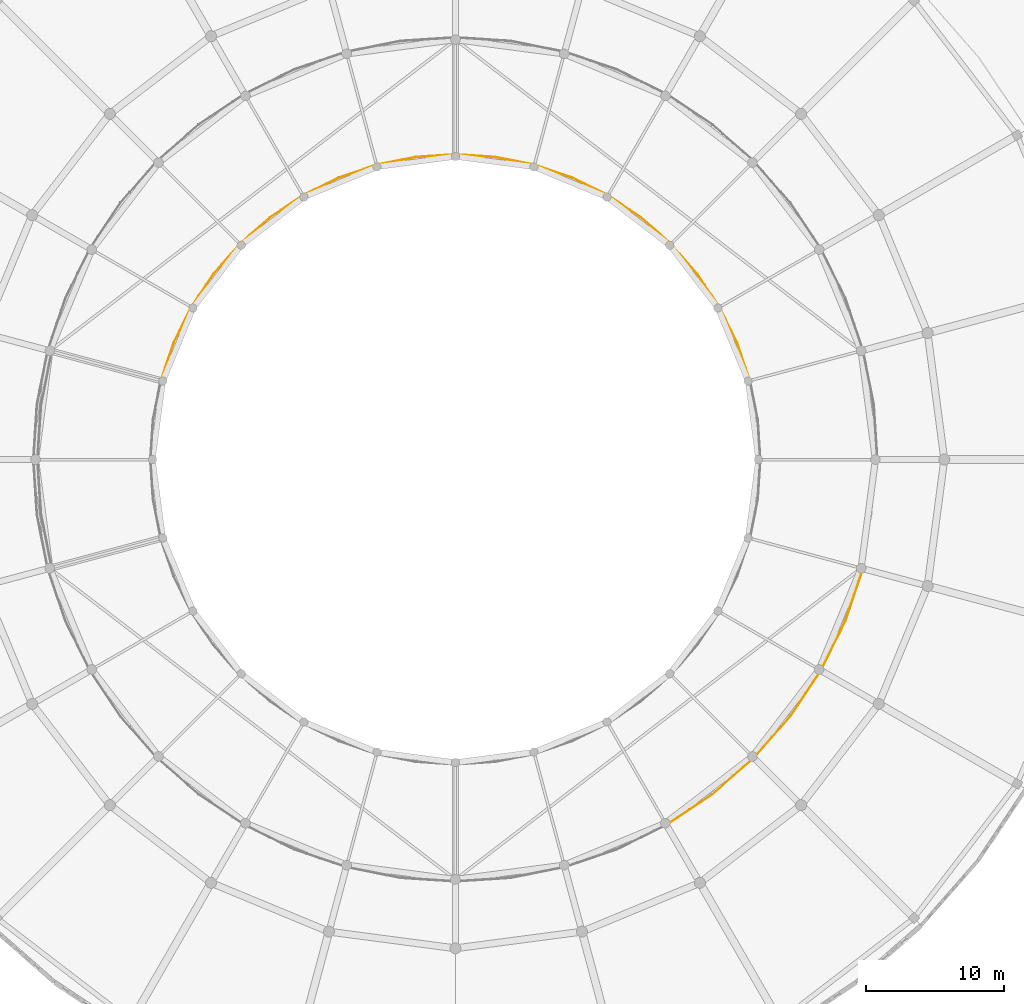
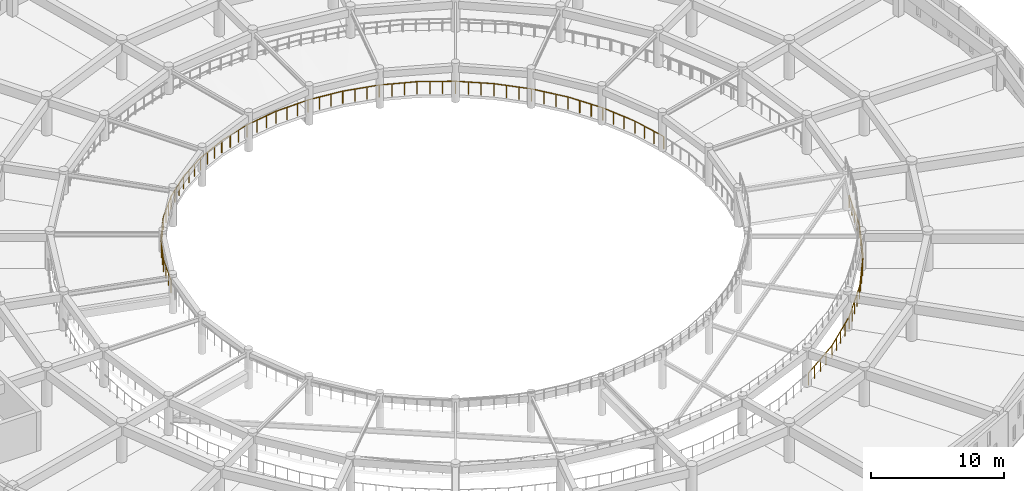
# One storey, part 130 of 155: 2 railings.
"""IFC4 building model written with IfcOpenShell, lengths in metres."""

from ifc_helpers import new_model, si_unit, direction, frame, origin, origin_2d, place, context, subcontext, project, spatial, circle, extrude, material, type_object, element, save


model = new_model("IFC4")

# Units and contexts
model_context = context("Model", 3, precision=1e-05, world=origin(), true_north=direction((0.0, 1.0)))
body_context = subcontext(model_context, "Body", "Model", "MODEL_VIEW")
ifc_project = project(units=[si_unit("LENGTHUNIT", "METRE"), si_unit("AREAUNIT", "SQUARE_METRE"), si_unit("VOLUMEUNIT", "CUBIC_METRE"), si_unit("PLANEANGLEUNIT", "RADIAN"), si_unit("MASSUNIT", "GRAM", prefix="KILO")], contexts=[model_context])

# Site, building, storey
site_placement = place(None, origin())
site = spatial("IfcSite", under=ifc_project, at=site_placement, CompositionType="ELEMENT")
building_placement = place(site_placement, origin())
building = spatial("IfcBuilding", under=site, at=building_placement, Name="Larkveld Mobility Hub", CompositionType="ELEMENT")
storey_placement = place(building_placement, frame((0.0, 0.0, 8.39990234375)))
storey = spatial("IfcBuildingStorey", under=building, at=storey_placement, Name="L02", CompositionType="ELEMENT", Elevation=8.39990234375)

# Railings
ifc_material_1 = material(Name="Anodized aluminium 6063-T6 balustrade", Category="aluminium")
railing_type_1 = type_object("IfcRailingType", Name="RL-GRD-1150", PredefinedType="GUARDRAIL", material=ifc_material_1)
railing_1_placement = place(storey_placement, frame((63.324951171875, 21.4560546875, 0.0)))
element("IfcRailing", 1, at=railing_1_placement, inside=storey, type_object=railing_type_1, Name="Drum Ramp Well Guardrail L02-046", PredefinedType="GUARDRAIL", context=body_context, shape_type="SweptSolid", body=[
    extrude(circle(Radius=0.02392578125, at=origin_2d()), frame((0.0, 0.0, 1.1259765625), z_axis=(0.831431571078, 0.555627161516, 0.0), x_axis=(-0.555627161516, 0.831431571078, 0.0)), (0.0, 0.0, 1.0), 4.010009765625),
    extrude(circle(Radius=0.02392578125, at=origin_2d()), frame((3.333984375, 2.22802734375, 1.1259765625), z_axis=(0.75190475676, 0.65927174728, 0.0), x_axis=(-0.65927174728, 0.75190475676, 0.0)), (0.0, 0.0, 1.0), 4.0087890625),
    extrude(circle(Radius=0.02392578125, at=origin_2d()), frame((6.34814453125, 4.870849609375, 1.1259765625), z_axis=(0.65927174728, 0.75190475676, 0.0), x_axis=(-0.75190475676, 0.65927174728, 0.0)), (0.0, 0.0, 1.0), 4.0087890625),
    extrude(circle(Radius=0.02392578125, at=origin_2d()), frame((8.990966796875, 7.885009765625, 1.1259765625), z_axis=(0.555627161516, 0.831431571078, 0.0), x_axis=(-0.831431571078, 0.555627161516, 0.0)), (0.0, 0.0, 1.0), 4.010009765625),
    extrude(circle(Radius=0.02392578125, at=origin_2d()), frame((11.218994140625, 11.218994140625, 1.1259765625), z_axis=(0.442213306217, 0.89690991287, 0.0), x_axis=(-0.89690991287, 0.442213306217, 0.0)), (0.0, 0.0, 1.0), 4.00927734375),
    extrude(circle(Radius=0.02392578125, at=origin_2d()), frame((12.991943359375, 14.81494140625, 1.1259765625), z_axis=(0.321557700371, 0.946889985865, 0.0), x_axis=(-0.946889985865, 0.321557700371, 0.0)), (0.0, 0.0, 1.0), 4.0087890625),
    extrude(circle(Radius=0.02099609375, at=origin_2d()), origin(), (0.0, 0.0, 1.0), 1.101806640625),
    extrude(circle(Radius=0.02099609375, at=origin_2d()), frame((0.83349609375, 0.55712890625, 0.0)), (0.0, 0.0, 1.0), 1.101806640625),
    extrude(circle(Radius=0.02099609375, at=origin_2d()), frame((1.6669921875, 1.114013671875, 0.0)), (0.0, 0.0, 1.0), 1.101806640625),
    extrude(circle(Radius=0.02099609375, at=origin_2d()), frame((2.50048828125, 1.6708984375, 0.0)), (0.0, 0.0, 1.0), 1.101806640625),
    extrude(circle(Radius=0.02099609375, at=origin_2d()), frame((3.333984375, 2.22802734375, 0.0)), (0.0, 0.0, 1.0), 1.101806640625),
    extrude(circle(Radius=0.02099609375, at=origin_2d()), frame((4.08740234375, 2.888671875, 0.0)), (0.0, 0.0, 1.0), 1.101806640625),
    extrude(circle(Radius=0.02099609375, at=origin_2d()), frame((4.841064453125, 3.54931640625, 0.0)), (0.0, 0.0, 1.0), 1.101806640625),
    extrude(circle(Radius=0.02099609375, at=origin_2d()), frame((5.5947265625, 4.210205078125, 0.0)), (0.0, 0.0, 1.0), 1.101806640625),
    extrude(circle(Radius=0.02099609375, at=origin_2d()), frame((6.34814453125, 4.870849609375, 0.0)), (0.0, 0.0, 1.0), 1.101806640625),
    extrude(circle(Radius=0.02099609375, at=origin_2d()), frame((7.0087890625, 5.62451171875, 0.0)), (0.0, 0.0, 1.0), 1.101806640625),
    extrude(circle(Radius=0.02099609375, at=origin_2d()), frame((7.66943359375, 6.3779296875, 0.0)), (0.0, 0.0, 1.0), 1.101806640625),
    extrude(circle(Radius=0.02099609375, at=origin_2d()), frame((8.330322265625, 7.13134765625, 0.0)), (0.0, 0.0, 1.0), 1.101806640625),
    extrude(circle(Radius=0.02099609375, at=origin_2d()), frame((8.990966796875, 7.885009765625, 0.0)), (0.0, 0.0, 1.0), 1.101806640625),
    extrude(circle(Radius=0.02099609375, at=origin_2d()), frame((9.5478515625, 8.718505859375, 0.0)), (0.0, 0.0, 1.0), 1.101806640625),
    extrude(circle(Radius=0.02099609375, at=origin_2d()), frame((10.10498046875, 9.552001953125, 0.0)), (0.0, 0.0, 1.0), 1.101806640625),
    extrude(circle(Radius=0.02099609375, at=origin_2d()), frame((10.662109375, 10.385498046875, 0.0)), (0.0, 0.0, 1.0), 1.101806640625),
    extrude(circle(Radius=0.02099609375, at=origin_2d()), frame((11.218994140625, 11.218994140625, 0.0)), (0.0, 0.0, 1.0), 1.101806640625),
    extrude(circle(Radius=0.02099609375, at=origin_2d()), frame((11.662109375, 12.117919921875, 0.0)), (0.0, 0.0, 1.0), 1.101806640625),
    extrude(circle(Radius=0.02099609375, at=origin_2d()), frame((12.10546875, 13.01708984375, 0.0)), (0.0, 0.0, 1.0), 1.101806640625),
    extrude(circle(Radius=0.02099609375, at=origin_2d()), frame((12.548828125, 13.916015625, 0.0)), (0.0, 0.0, 1.0), 1.101806640625),
    extrude(circle(Radius=0.02099609375, at=origin_2d()), frame((12.991943359375, 14.81494140625, 0.0)), (0.0, 0.0, 1.0), 1.101806640625),
    extrude(circle(Radius=0.02099609375, at=origin_2d()), frame((13.314208984375, 15.763916015625, 0.0)), (0.0, 0.0, 1.0), 1.101806640625),
    extrude(circle(Radius=0.02099609375, at=origin_2d()), frame((13.636474609375, 16.712890625, 0.0)), (0.0, 0.0, 1.0), 1.101806640625),
    extrude(circle(Radius=0.02099609375, at=origin_2d()), frame((13.958740234375, 17.661865234375, 0.0)), (0.0, 0.0, 1.0), 1.101806640625),
    extrude(circle(Radius=0.02099609375, at=origin_2d()), frame((14.281005859375, 18.61083984375, 0.0)), (0.0, 0.0, 1.0), 1.101806640625),
])
ifc_material_2 = material(Name="Galvanized Steel S355JR vehicle-deck guard", Category="steel")
railing_type_2 = type_object("IfcRailingType", Name="RL-GRD-RMP", PredefinedType="GUARDRAIL", material=ifc_material_2)
railing_2_placement = place(storey_placement, frame((69.39501953125, 53.73291015625, 0.0)))
element("IfcRailing", 2, at=railing_2_placement, inside=storey, type_object=railing_type_2, Name="Helical Ramp Inner Sloped Guard T1 L02-017", PredefinedType="GUARDRAIL", context=body_context, shape_type="SweptSolid", body=[
    extrude(circle(Radius=0.02392578125, at=origin_2d()), frame((0.0, 0.0, 1.1259765625), z_axis=(-0.321200441388, 0.946500959726, 0.031083913683), x_axis=(-0.946958550549, -0.321355727416, 0.0)), (0.0, 0.0, 1.0), 2.898193359375),
    extrude(circle(Radius=0.02392578125, at=origin_2d()), frame((-0.930908203125, 2.7431640625, 1.2158203125), z_axis=(-0.442242222184, 0.896357283921, 0.031071473722), x_axis=(-0.896790285483, -0.442455855271, 0.0)), (0.0, 0.0, 1.0), 2.8994140625),
    extrude(circle(Radius=0.02392578125, at=origin_2d()), frame((-2.213134765625, 5.342041015625, 1.30615234375), z_axis=(-0.5551332344, 0.83118355445, 0.030999852847), x_axis=(-0.831583222437, -0.555400165791, 0.0)), (0.0, 0.0, 1.0), 2.898193359375),
    extrude(circle(Radius=0.02392578125, at=origin_2d()), frame((-3.822021484375, 7.7509765625, 1.39599609375), z_axis=(-0.659151901908, 0.751367480366, 0.031075386713), x_axis=(-0.751730533478, -0.659470397392, 0.0)), (0.0, 0.0, 1.0), 2.89892578125),
    extrude(circle(Radius=0.02392578125, at=origin_2d()), frame((-5.73291015625, 9.92919921875, 1.48583984375), z_axis=(-0.751367480366, 0.659151901908, 0.031075386713), x_axis=(-0.659470397392, -0.751730533478, 0.0)), (0.0, 0.0, 1.0), 2.89892578125),
    extrude(circle(Radius=0.02392578125, at=origin_2d()), frame((-7.9111328125, 11.840087890625, 1.576171875), z_axis=(-0.83118355445, 0.5551332344, 0.030999852847), x_axis=(-0.555400165791, -0.831583222437, 0.0)), (0.0, 0.0, 1.0), 2.898193359375),
    extrude(circle(Radius=0.02392578125, at=origin_2d()), frame((-10.320068359375, 13.448974609375, 1.666015625), z_axis=(-0.896357283921, 0.442242222184, 0.031071473722), x_axis=(-0.442455855271, -0.896790285483, 0.0)), (0.0, 0.0, 1.0), 2.8994140625),
    extrude(circle(Radius=0.02392578125, at=origin_2d()), frame((-12.9189453125, 14.731201171875, 1.755859375), z_axis=(-0.946500959726, 0.321200441388, 0.031083913683), x_axis=(-0.321355727416, -0.946958550549, 0.0)), (0.0, 0.0, 1.0), 2.898193359375),
    extrude(circle(Radius=0.02392578125, at=origin_2d()), frame((-15.662109375, 15.662109375, 1.84619140625), z_axis=(-0.980271273952, 0.195212097339, 0.030991394228), x_axis=(-0.195305912265, -0.980742372203, 0.0)), (0.0, 0.0, 1.0), 2.89892578125),
    extrude(circle(Radius=0.02392578125, at=origin_2d()), frame((-18.50390625, 16.22802734375, 1.93603515625), z_axis=(-0.997388779233, 0.065189910077, 0.031078910618), x_axis=(-0.065221416326, -0.997870816715, 0.0)), (0.0, 0.0, 1.0), 2.898681640625),
    extrude(circle(Radius=0.02392578125, at=origin_2d()), frame((-21.39501953125, 16.4169921875, 2.02587890625), z_axis=(-0.997391386482, -0.065190080488, 0.03099476695), x_axis=(0.065221416326, -0.997870816715, 0.0)), (0.0, 0.0, 1.0), 2.898681640625),
    extrude(circle(Radius=0.02392578125, at=origin_2d()), frame((-24.2861328125, 16.22802734375, 2.11572265625), z_axis=(-0.980268712014, -0.195211587152, 0.031075528757), x_axis=(0.195305912265, -0.980742372203, 0.0)), (0.0, 0.0, 1.0), 2.89892578125),
    extrude(circle(Radius=0.02392578125, at=origin_2d()), frame((-27.1279296875, 15.662109375, 2.2060546875), z_axis=(-0.946500959726, -0.321200441388, 0.031083913683), x_axis=(0.321355727416, -0.946958550549, 0.0)), (0.0, 0.0, 1.0), 2.898193359375),
    extrude(circle(Radius=0.02392578125, at=origin_2d()), frame((-29.87109375, 14.731201171875, 2.2958984375), z_axis=(-0.896359625945, -0.442243377686, 0.03098735015), x_axis=(0.442455855271, -0.896790285483, 0.0)), (0.0, 0.0, 1.0), 2.8994140625),
    extrude(circle(Radius=0.02392578125, at=origin_2d()), frame((-32.469970703125, 13.448974609375, 2.3857421875), z_axis=(-0.831181380966, -0.555131782768, 0.031084010295), x_axis=(0.555400165791, -0.831583222437, 0.0)), (0.0, 0.0, 1.0), 2.898193359375),
    extrude(circle(Radius=0.02392578125, at=origin_2d()), frame((-34.87890625, 11.840087890625, 2.47607421875), z_axis=(-0.751367480366, -0.659151901908, 0.031075386713), x_axis=(0.659470397392, -0.751730533478, 0.0)), (0.0, 0.0, 1.0), 2.89892578125),
    extrude(circle(Radius=0.02392578125, at=origin_2d()), frame((-37.05712890625, 9.92919921875, 2.56591796875), z_axis=(-0.65915362459, -0.751369444052, 0.030991252568), x_axis=(0.751730533478, -0.659470397392, 0.0)), (0.0, 0.0, 1.0), 2.89892578125),
    extrude(circle(Radius=0.02392578125, at=origin_2d()), frame((-38.968017578125, 7.7509765625, 2.65576171875), z_axis=(-0.555131782768, -0.831181380966, 0.031084010295), x_axis=(0.831583222437, -0.555400165791, 0.0)), (0.0, 0.0, 1.0), 2.898193359375),
    extrude(circle(Radius=0.02392578125, at=origin_2d()), frame((-40.576904296875, 5.342041015625, 2.74609375), z_axis=(-0.442242222184, -0.896357283921, 0.031071473722), x_axis=(0.896790285483, -0.442455855271, 0.0)), (0.0, 0.0, 1.0), 2.8994140625),
    extrude(circle(Radius=0.02392578125, at=origin_2d()), frame((-41.859130859375, 2.7431640625, 2.8359375), z_axis=(-0.3212012813, -0.946503434747, 0.030999756496), x_axis=(0.946958550549, -0.321355727416, 0.0)), (0.0, 0.0, 1.0), 2.898193359375),
    extrude(circle(Radius=0.02099609375, at=origin_2d()), origin(), (0.0, 0.0, 1.0), 1.101806640625),
    extrude(circle(Radius=0.02099609375, at=origin_2d()), frame((-0.310302734375, 0.914306640625, 0.030029296875)), (0.0, 0.0, 1.0), 1.101806640625),
    extrude(circle(Radius=0.02099609375, at=origin_2d()), frame((-0.62060546875, 1.828857421875, 0.06005859375)), (0.0, 0.0, 1.0), 1.101806640625),
    extrude(circle(Radius=0.02099609375, at=origin_2d()), frame((-0.930908203125, 2.7431640625, 0.090087890625)), (0.0, 0.0, 1.0), 1.101806640625),
    extrude(circle(Radius=0.02099609375, at=origin_2d()), frame((-1.3583984375, 3.609375, 0.1201171875)), (0.0, 0.0, 1.0), 1.101806640625),
    extrude(circle(Radius=0.02099609375, at=origin_2d()), frame((-1.78564453125, 4.475830078125, 0.150146484375)), (0.0, 0.0, 1.0), 1.101806640625),
    extrude(circle(Radius=0.02099609375, at=origin_2d()), frame((-2.213134765625, 5.342041015625, 0.18017578125)), (0.0, 0.0, 1.0), 1.101806640625),
    extrude(circle(Radius=0.02099609375, at=origin_2d()), frame((-2.74951171875, 6.14501953125, 0.210205078125)), (0.0, 0.0, 1.0), 1.101806640625),
    extrude(circle(Radius=0.02099609375, at=origin_2d()), frame((-3.28564453125, 6.947998046875, 0.239990234375)), (0.0, 0.0, 1.0), 1.101806640625),
    extrude(circle(Radius=0.02099609375, at=origin_2d()), frame((-3.822021484375, 7.7509765625, 0.27001953125)), (0.0, 0.0, 1.0), 1.101806640625),
    extrude(circle(Radius=0.02099609375, at=origin_2d()), frame((-4.458984375, 8.47705078125, 0.300048828125)), (0.0, 0.0, 1.0), 1.101806640625),
    extrude(circle(Radius=0.02099609375, at=origin_2d()), frame((-5.095947265625, 9.203125, 0.330078125)), (0.0, 0.0, 1.0), 1.101806640625),
    extrude(circle(Radius=0.02099609375, at=origin_2d()), frame((-5.73291015625, 9.92919921875, 0.360107421875)), (0.0, 0.0, 1.0), 1.101806640625),
    extrude(circle(Radius=0.02099609375, at=origin_2d()), frame((-6.458984375, 10.566162109375, 0.39013671875)), (0.0, 0.0, 1.0), 1.101806640625),
    extrude(circle(Radius=0.02099609375, at=origin_2d()), frame((-7.18505859375, 11.203125, 0.420166015625)), (0.0, 0.0, 1.0), 1.101806640625),
    extrude(circle(Radius=0.02099609375, at=origin_2d()), frame((-7.9111328125, 11.840087890625, 0.4501953125)), (0.0, 0.0, 1.0), 1.101806640625),
    extrude(circle(Radius=0.02099609375, at=origin_2d()), frame((-8.714111328125, 12.37646484375, 0.480224609375)), (0.0, 0.0, 1.0), 1.101806640625),
    extrude(circle(Radius=0.02099609375, at=origin_2d()), frame((-9.51708984375, 12.91259765625, 0.510009765625)), (0.0, 0.0, 1.0), 1.101806640625),
    extrude(circle(Radius=0.02099609375, at=origin_2d()), frame((-10.320068359375, 13.448974609375, 0.5400390625)), (0.0, 0.0, 1.0), 1.101806640625),
    extrude(circle(Radius=0.02099609375, at=origin_2d()), frame((-11.186279296875, 13.87646484375, 0.570068359375)), (0.0, 0.0, 1.0), 1.101806640625),
    extrude(circle(Radius=0.02099609375, at=origin_2d()), frame((-12.052734375, 14.3037109375, 0.60009765625)), (0.0, 0.0, 1.0), 1.101806640625),
    extrude(circle(Radius=0.02099609375, at=origin_2d()), frame((-12.9189453125, 14.731201171875, 0.630126953125)), (0.0, 0.0, 1.0), 1.101806640625),
    extrude(circle(Radius=0.02099609375, at=origin_2d()), frame((-13.833251953125, 15.04150390625, 0.66015625)), (0.0, 0.0, 1.0), 1.101806640625),
    extrude(circle(Radius=0.02099609375, at=origin_2d()), frame((-14.747802734375, 15.351806640625, 0.690185546875)), (0.0, 0.0, 1.0), 1.101806640625),
    extrude(circle(Radius=0.02099609375, at=origin_2d()), frame((-15.662109375, 15.662109375, 0.72021484375)), (0.0, 0.0, 1.0), 1.101806640625),
    extrude(circle(Radius=0.02099609375, at=origin_2d()), frame((-16.609375, 15.850830078125, 0.750244140625)), (0.0, 0.0, 1.0), 1.101806640625),
    extrude(circle(Radius=0.02099609375, at=origin_2d()), frame((-17.556640625, 16.039306640625, 0.780029296875)), (0.0, 0.0, 1.0), 1.101806640625),
    extrude(circle(Radius=0.02099609375, at=origin_2d()), frame((-18.50390625, 16.22802734375, 0.81005859375)), (0.0, 0.0, 1.0), 1.101806640625),
    extrude(circle(Radius=0.02099609375, at=origin_2d()), frame((-19.467529296875, 16.291015625, 0.840087890625)), (0.0, 0.0, 1.0), 1.101806640625),
    extrude(circle(Radius=0.02099609375, at=origin_2d()), frame((-20.431396484375, 16.35400390625, 0.8701171875)), (0.0, 0.0, 1.0), 1.101806640625),
    extrude(circle(Radius=0.02099609375, at=origin_2d()), frame((-21.39501953125, 16.4169921875, 0.900146484375)), (0.0, 0.0, 1.0), 1.101806640625),
    extrude(circle(Radius=0.02099609375, at=origin_2d()), frame((-22.358642578125, 16.35400390625, 0.93017578125)), (0.0, 0.0, 1.0), 1.101806640625),
    extrude(circle(Radius=0.02099609375, at=origin_2d()), frame((-23.322509765625, 16.291015625, 0.9599609375)), (0.0, 0.0, 1.0), 1.101806640625),
    extrude(circle(Radius=0.02099609375, at=origin_2d()), frame((-24.2861328125, 16.22802734375, 0.989990234375)), (0.0, 0.0, 1.0), 1.101806640625),
    extrude(circle(Radius=0.02099609375, at=origin_2d()), frame((-25.2333984375, 16.039306640625, 1.02001953125)), (0.0, 0.0, 1.0), 1.101806640625),
    extrude(circle(Radius=0.02099609375, at=origin_2d()), frame((-26.1806640625, 15.850830078125, 1.050048828125)), (0.0, 0.0, 1.0), 1.101806640625),
    extrude(circle(Radius=0.02099609375, at=origin_2d()), frame((-27.1279296875, 15.662109375, 1.080078125)), (0.0, 0.0, 1.0), 1.101806640625),
    extrude(circle(Radius=0.02099609375, at=origin_2d()), frame((-28.042236328125, 15.351806640625, 1.110107421875)), (0.0, 0.0, 1.0), 1.101806640625),
    extrude(circle(Radius=0.02099609375, at=origin_2d()), frame((-28.956787109375, 15.04150390625, 1.14013671875)), (0.0, 0.0, 1.0), 1.101806640625),
    extrude(circle(Radius=0.02099609375, at=origin_2d()), frame((-29.87109375, 14.731201171875, 1.170166015625)), (0.0, 0.0, 1.0), 1.101806640625),
    extrude(circle(Radius=0.02099609375, at=origin_2d()), frame((-30.7373046875, 14.3037109375, 1.2001953125)), (0.0, 0.0, 1.0), 1.101806640625),
    extrude(circle(Radius=0.02099609375, at=origin_2d()), frame((-31.603759765625, 13.87646484375, 1.22998046875)), (0.0, 0.0, 1.0), 1.101806640625),
    extrude(circle(Radius=0.02099609375, at=origin_2d()), frame((-32.469970703125, 13.448974609375, 1.260009765625)), (0.0, 0.0, 1.0), 1.101806640625),
    extrude(circle(Radius=0.02099609375, at=origin_2d()), frame((-33.27294921875, 12.91259765625, 1.2900390625)), (0.0, 0.0, 1.0), 1.101806640625),
    extrude(circle(Radius=0.02099609375, at=origin_2d()), frame((-34.075927734375, 12.37646484375, 1.320068359375)), (0.0, 0.0, 1.0), 1.101806640625),
    extrude(circle(Radius=0.02099609375, at=origin_2d()), frame((-34.87890625, 11.840087890625, 1.35009765625)), (0.0, 0.0, 1.0), 1.101806640625),
    extrude(circle(Radius=0.02099609375, at=origin_2d()), frame((-35.60498046875, 11.203125, 1.380126953125)), (0.0, 0.0, 1.0), 1.101806640625),
    extrude(circle(Radius=0.02099609375, at=origin_2d()), frame((-36.3310546875, 10.566162109375, 1.41015625)), (0.0, 0.0, 1.0), 1.101806640625),
    extrude(circle(Radius=0.02099609375, at=origin_2d()), frame((-37.05712890625, 9.92919921875, 1.440185546875)), (0.0, 0.0, 1.0), 1.101806640625),
    extrude(circle(Radius=0.02099609375, at=origin_2d()), frame((-37.694091796875, 9.203125, 1.47021484375)), (0.0, 0.0, 1.0), 1.101806640625),
    extrude(circle(Radius=0.02099609375, at=origin_2d()), frame((-38.3310546875, 8.47705078125, 1.5)), (0.0, 0.0, 1.0), 1.101806640625),
    extrude(circle(Radius=0.02099609375, at=origin_2d()), frame((-38.968017578125, 7.7509765625, 1.530029296875)), (0.0, 0.0, 1.0), 1.101806640625),
    extrude(circle(Radius=0.02099609375, at=origin_2d()), frame((-39.50439453125, 6.947998046875, 1.56005859375)), (0.0, 0.0, 1.0), 1.101806640625),
    extrude(circle(Radius=0.02099609375, at=origin_2d()), frame((-40.04052734375, 6.14501953125, 1.590087890625)), (0.0, 0.0, 1.0), 1.101806640625),
    extrude(circle(Radius=0.02099609375, at=origin_2d()), frame((-40.576904296875, 5.342041015625, 1.6201171875)), (0.0, 0.0, 1.0), 1.101806640625),
    extrude(circle(Radius=0.02099609375, at=origin_2d()), frame((-41.00439453125, 4.475830078125, 1.650146484375)), (0.0, 0.0, 1.0), 1.101806640625),
    extrude(circle(Radius=0.02099609375, at=origin_2d()), frame((-41.431640625, 3.609375, 1.68017578125)), (0.0, 0.0, 1.0), 1.101806640625),
    extrude(circle(Radius=0.02099609375, at=origin_2d()), frame((-41.859130859375, 2.7431640625, 1.710205078125)), (0.0, 0.0, 1.0), 1.101806640625),
    extrude(circle(Radius=0.02099609375, at=origin_2d()), frame((-42.16943359375, 1.828857421875, 1.740234375)), (0.0, 0.0, 1.0), 1.101806640625),
    extrude(circle(Radius=0.02099609375, at=origin_2d()), frame((-42.479736328125, 0.914306640625, 1.77001953125)), (0.0, 0.0, 1.0), 1.101806640625),
    extrude(circle(Radius=0.02099609375, at=origin_2d()), frame((-42.7900390625, 0.0, 1.800048828125)), (0.0, 0.0, 1.0), 1.101806640625),
])

save(model, "model.ifc")
